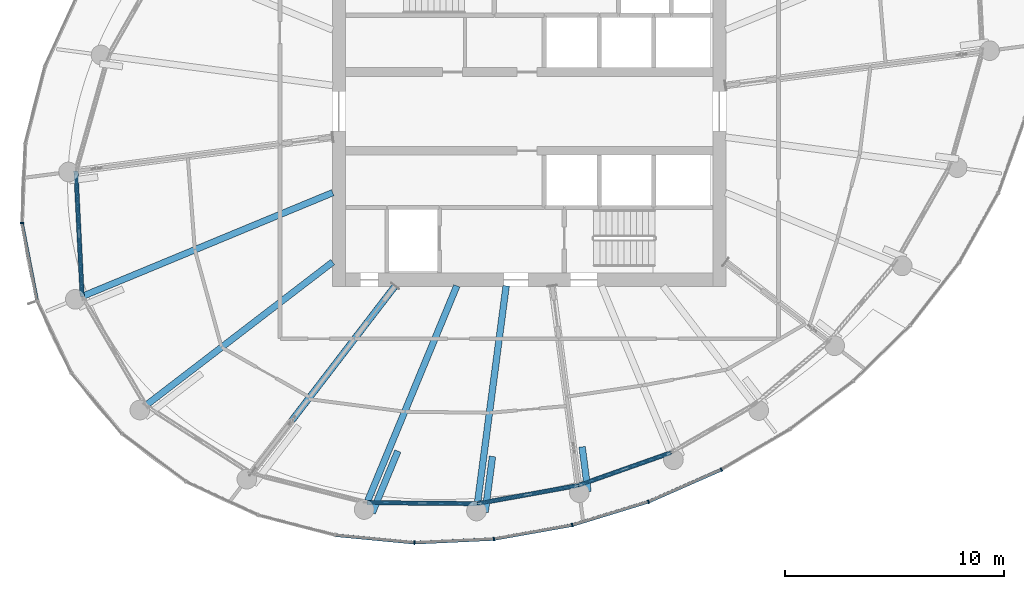
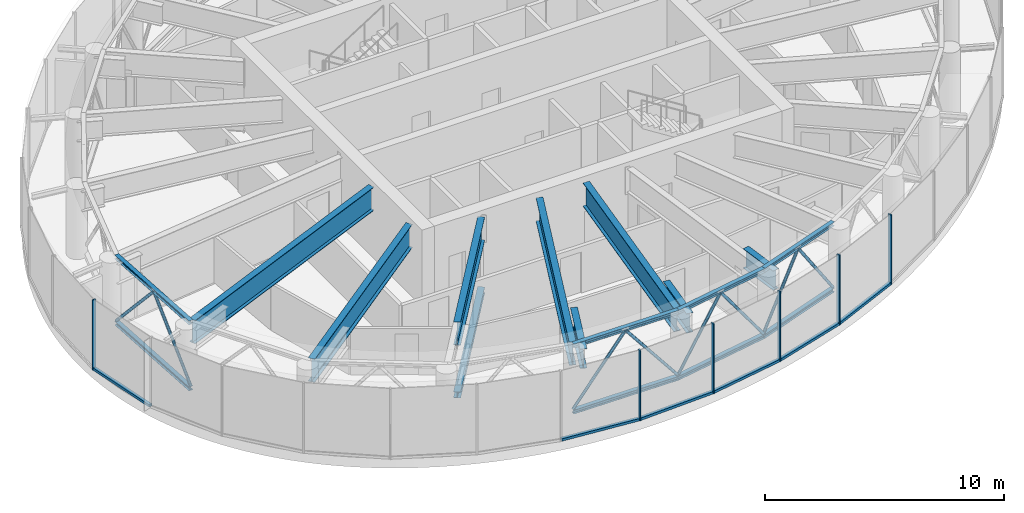
# One storey, part 3 of 26: 29 members, 8 beams, 3 elements without a shape of their own.
"""IFC4 building model written with IfcOpenShell, lengths in metres."""

from ifc_helpers import new_model, si_unit, direction, frame, origin, origin_2d, place, context, subcontext, project, spatial, rectangle, hollow_circle, i_section, extrude, source, transform, mapped, material, layer, layer_set, material_profile, profile_set, type_object, element, aggregate, save


model = new_model("IFC4")

# Units and contexts
model_context = context("Model", 3, precision=1e-05, world=origin(), true_north=direction((0.0, 1.0)))
body_context = subcontext(model_context, "Body", "Model", "MODEL_VIEW")
ifc_project = project(units=[si_unit("LENGTHUNIT", "METRE"), si_unit("AREAUNIT", "SQUARE_METRE"), si_unit("VOLUMEUNIT", "CUBIC_METRE"), si_unit("PLANEANGLEUNIT", "RADIAN"), si_unit("MASSUNIT", "GRAM", prefix="KILO")], contexts=[model_context])

# Site, building, storey
site_placement = place(None, origin())
site = spatial("IfcSite", under=ifc_project, at=site_placement, CompositionType="ELEMENT")
building_placement = place(site_placement, origin())
building = spatial("IfcBuilding", under=site, at=building_placement, Name="Spindrift Exchange Tower", CompositionType="ELEMENT")
storey_placement = place(building_placement, frame((0.0, 0.0, 230.60009765625)))
storey = spatial("IfcBuildingStorey", under=building, at=storey_placement, Name="L56", CompositionType="ELEMENT", Elevation=230.60009765625)

# Beams
ifc_material_1 = material(Name="Steel Grade 300", Category="steel")
ifc_material_profile_1 = material_profile(ifc_material_1, i_section(OverallWidth=0.300048828125, OverallDepth=1.199951171875, WebThickness=0.011962890625, FlangeThickness=0.028076171875, at=origin_2d()), Name="1200WB249")
ifc_profile_set_1 = profile_set([ifc_material_profile_1], Name="Steel Grade 300")
beam_type_1 = type_object("IfcBeamType", Name="Transfer Girder 1200WB249 Steel Grade 300", PredefinedType="BEAM", material=ifc_profile_set_1)
shared_shape_1 = source(origin(), body_context, "Body", "SweptSolid", [
    extrude(i_section(OverallWidth=0.300048828125, OverallDepth=1.199951171875, WebThickness=0.011962890625, FlangeThickness=0.028076171875, at=origin_2d()), origin(), (0.0, 0.0, 1.0), 12.3115234375),
])
beam_1_placement = place(storey_placement, frame((43.0185546875, 44.27978515625, 2.97998046875), z_axis=(-0.923878099838, -0.382686891126, 0.0), x_axis=(0.382686891126, -0.923878099838, 0.0)))
element("IfcBeam", 1, at=beam_1_placement, inside=storey, type_object=beam_type_1, Name="L56 radial beam R14A", PredefinedType="BEAM", context=body_context, shape_type="MappedRepresentation", body=[
    mapped(shared_shape_1, transform((0.0, 0.0, 0.0), scale=1.0)),
])
shared_shape_2 = source(origin(), body_context, "Body", "SweptSolid", [
    extrude(i_section(OverallWidth=0.300048828125, OverallDepth=1.199951171875, WebThickness=0.011962890625, FlangeThickness=0.028076171875, at=origin_2d()), origin(), (0.0, 0.0, 1.0), 10.684814453125),
])
beam_2_placement = place(storey_placement, frame((43.015869140625, 41.106201171875, 2.97998046875), z_axis=(-0.793357316898, -0.608756246559, 0.0), x_axis=(0.608756246559, -0.793357316898, 0.0)))
element("IfcBeam", 2, at=beam_2_placement, inside=storey, type_object=beam_type_1, Name="L56 radial beam R15A", PredefinedType="BEAM", context=body_context, shape_type="MappedRepresentation", body=[
    mapped(shared_shape_2, transform((0.0, 0.0, 0.0), scale=1.0)),
])
shared_shape_3 = source(origin(), body_context, "Body", "SweptSolid", [
    extrude(i_section(OverallWidth=0.300048828125, OverallDepth=1.199951171875, WebThickness=0.011962890625, FlangeThickness=0.028076171875, at=origin_2d()), origin(), (0.0, 0.0, 1.0), 10.64111328125),
])
beam_3_placement = place(storey_placement, frame((48.69384765625, 40.0185546875, 2.97998046875), z_axis=(-0.382672627597, -0.923884007919, 0.0), x_axis=(0.923884007919, -0.382672627597, 0.0)))
element("IfcBeam", 3, at=beam_3_placement, inside=storey, type_object=beam_type_1, Name="L56 radial beam R17A", PredefinedType="BEAM", context=body_context, shape_type="MappedRepresentation", body=[
    mapped(shared_shape_3, transform((0.0, 0.0, 0.0), scale=1.0)),
])
shared_shape_4 = source(origin(), body_context, "Body", "SweptSolid", [
    extrude(i_section(OverallWidth=0.300048828125, OverallDepth=1.199951171875, WebThickness=0.011962890625, FlangeThickness=0.028076171875, at=origin_2d()), origin(), (0.0, 0.0, 1.0), 9.95703125),
])
beam_4_placement = place(storey_placement, frame((50.949462890625, 40.019775390625, 2.97998046875), z_axis=(-0.130541406635, -0.991442858239, 0.0), x_axis=(0.991442858239, -0.130541406635, 0.0)))
element("IfcBeam", 4, at=beam_4_placement, inside=storey, type_object=beam_type_1, Name="L56 radial beam R18A", PredefinedType="BEAM", context=body_context, shape_type="MappedRepresentation", body=[
    mapped(shared_shape_4, transform((0.0, 0.0, 0.0), scale=1.0)),
])
ifc_material_profile_2 = material_profile(ifc_material_1, i_section(OverallWidth=0.300048828125, OverallDepth=1.199951171875, WebThickness=0.011962890625, FlangeThickness=0.028076171875, at=origin_2d()), Name="1200WB249")
ifc_profile_set_2 = profile_set([ifc_material_profile_2], Name="Steel Grade 300")
beam_type_2 = type_object("IfcBeamType", Name="Outrigger Truss Transfer Girder 1200WB249 Steel Grade 300", PredefinedType="BEAM", material=ifc_profile_set_2)
shared_shape_5 = source(origin(), body_context, "Body", "SweptSolid", [
    extrude(i_section(OverallWidth=0.300048828125, OverallDepth=1.199951171875, WebThickness=0.011962890625, FlangeThickness=0.028076171875, at=origin_2d()), origin(), (0.0, 0.0, 1.0), 7.754150390625),
])
beam_5_placement = place(storey_placement, frame((45.87353515625, 40.015869140625, 2.97998046875), z_axis=(-0.608759339456, -0.793354943657, 0.0), x_axis=(0.793354943657, -0.608759339456, 0.0)))
element("IfcBeam", 5, at=beam_5_placement, inside=storey, type_object=beam_type_2, Name="L56 outrigger truss 16 top chord 1", PredefinedType="BEAM", context=body_context, shape_type="MappedRepresentation", body=[
    mapped(shared_shape_5, transform((0.0, 0.0, 0.0), scale=1.0)),
])

# Members
ifc_material_profile_3 = material_profile(ifc_material_1, i_section(OverallWidth=0.304931640625, OverallDepth=0.30810546875, WebThickness=0.010009765625, FlangeThickness=0.015380859375, FilletRadius=0.0166015625, at=origin_2d()), Name="310UC96.8")
ifc_profile_set_3 = profile_set([ifc_material_profile_3], Name="Steel Grade 300")
member_type_1 = type_object("IfcMemberType", Name="Outrigger Truss Chord 310UC96.8 Steel Grade 300", PredefinedType="CHORD", material=ifc_profile_set_3)
shared_shape_6 = source(origin(), body_context, "Body", "SweptSolid", [
    extrude(i_section(OverallWidth=0.304931640625, OverallDepth=0.30810546875, WebThickness=0.010009765625, FlangeThickness=0.015380859375, FilletRadius=0.0166015625, at=origin_2d()), origin(), (0.0, 0.0, 1.0), 7.754150390625),
])
member_1_placement = place(storey_placement, frame((45.87353515625, 40.015869140625, -0.154052734375), z_axis=(-0.608759339456, -0.793354943657, 0.0), x_axis=(0.793354943657, -0.608759339456, 0.0)))
element("IfcMember", 6, at=member_1_placement, inside=storey, type_object=member_type_1, Name="L56 outrigger truss 16 bottom chord 1", PredefinedType="CHORD", context=body_context, shape_type="MappedRepresentation", body=[
    mapped(shared_shape_6, transform((0.0, 0.0, 0.0), scale=1.0)),
])
ifc_material_profile_4 = material_profile(ifc_material_1, i_section(OverallWidth=0.202880859375, OverallDepth=0.202880859375, WebThickness=0.00732421875, FlangeThickness=0.010986328125, FilletRadius=0.012939453125, at=origin_2d()), Name="200UC46.2")
ifc_profile_set_4 = profile_set([ifc_material_profile_4], Name="Steel Grade 300")
member_type_2 = type_object("IfcMemberType", Name="Belt Truss Chord 200UC46.2 Steel Grade 300", PredefinedType="CHORD", material=ifc_profile_set_4)
shared_shape_7 = source(origin(), body_context, "Body", "SweptSolid", [
    extrude(i_section(OverallWidth=0.202880859375, OverallDepth=0.202880859375, WebThickness=0.00732421875, FlangeThickness=0.010986328125, FilletRadius=0.012939453125, at=origin_2d()), origin(), (0.0, 0.0, 1.0), 5.74462890625),
])
for number, where, z_axis, x_axis, name in (
    (7, (31.27490234375, 45.271484375, 3.478515625), (0.049808319143, -0.998758795378, 0.0), (0.998758795378, 0.049808319143, 0.0), "L56 belt truss 13 top chord"),
    (8, (31.27490234375, 45.271484375, 0.101318359375), (0.049808319143, -0.998758795378, 0.0), (0.998758795378, 0.049808319143, 0.0), "L56 belt truss 13 bottom chord"),
):
    element("IfcMember", number, at=place(storey_placement, frame(where, z_axis=z_axis, x_axis=x_axis)), inside=storey, type_object=member_type_2, Name=name, PredefinedType="CHORD", context=body_context, shape_type="MappedRepresentation", body=[
        mapped(shared_shape_7, transform((0.0, 0.0, 0.0), scale=1.0)),
    ])
ifc_material_2 = material(Name="Steel Grade 350", Category="steel")
ifc_material_profile_5 = material_profile(ifc_material_2, hollow_circle(Radius=0.06982421875, WallThickness=0.00537109375, at=origin_2d()), Name="139.7x5.4CHS")
ifc_profile_set_5 = profile_set([ifc_material_profile_5], Name="Steel Grade 350")
member_type_3 = type_object("IfcMemberType", Name="Belt Truss Diagonal 139.7x5.4CHS Steel Grade 350", PredefinedType="BRACE", material=ifc_profile_set_5)
shared_shape_8 = source(origin(), body_context, "Body", "SweptSolid", [
    extrude(hollow_circle(Radius=0.06982421875, WallThickness=0.00537109375, at=origin_2d()), origin(), (0.0, 0.0, 1.0), 4.28076171875),
])
for number, where, z_axis, x_axis, name in (
    (9, (31.27490234375, 45.271484375, 0.202880859375), (0.033420008409, -0.670168120849, 0.741456534691), (0.998758900804, 0.049806205078, 0.0), "L56 belt truss 13 diagonal 1"),
    (10, (31.41796875, 42.402587890625, 3.376953125), (0.033421285747, -0.670136702261, -0.74148487371), (0.998758689938, 0.049810433388, 0.0), "L56 belt truss 13 diagonal 2"),
):
    element("IfcMember", number, at=place(storey_placement, frame(where, z_axis=z_axis, x_axis=x_axis)), inside=storey, type_object=member_type_3, Name=name, PredefinedType="BRACE", context=body_context, shape_type="MappedRepresentation", body=[
        mapped(shared_shape_8, transform((0.0, 0.0, 0.0), scale=1.0)),
    ])
shared_shape_9 = source(origin(), body_context, "Body", "SweptSolid", [
    extrude(i_section(OverallWidth=0.202880859375, OverallDepth=0.202880859375, WebThickness=0.00732421875, FlangeThickness=0.010986328125, FilletRadius=0.012939453125, at=origin_2d()), origin(), (0.0, 0.0, 1.0), 5.05078125),
])
for number, where, z_axis, x_axis, name in (
    (11, (44.58740234375, 30.1044921875, 3.478515625), (0.999959146283, -0.009039124105, 0.0), (0.009039124105, 0.999959146283, 0.0), "L56 belt truss 17 top chord"),
    (12, (44.58740234375, 30.1044921875, 0.101318359375), (0.999959146283, -0.009039124105, 0.0), (0.009039124105, 0.999959146283, 0.0), "L56 belt truss 17 bottom chord"),
):
    element("IfcMember", number, at=place(storey_placement, frame(where, z_axis=z_axis, x_axis=x_axis)), inside=storey, type_object=member_type_2, Name=name, PredefinedType="CHORD", context=body_context, shape_type="MappedRepresentation", body=[
        mapped(shared_shape_9, transform((0.0, 0.0, 0.0), scale=1.0)),
    ])
shared_shape_10 = source(origin(), body_context, "Body", "SweptSolid", [
    extrude(hollow_circle(Radius=0.06982421875, WallThickness=0.00537109375, at=origin_2d()), origin(), (0.0, 0.0, 1.0), 4.05615234375),
])
for number, where, z_axis, x_axis, name in (
    (13, (44.58740234375, 30.1044921875, 0.202880859375), (0.622598217612, -0.005657795094, 0.782521212991), (0.00908701846, 0.999958712195, 0.0), "L56 belt truss 17 diagonal 1"),
    (14, (47.11279296875, 30.08154296875, 3.376953125), (0.62256156822, -0.005597817446, -0.782550802323), (0.008991225057, 0.999959578119, 0.0), "L56 belt truss 17 diagonal 2"),
):
    element("IfcMember", number, at=place(storey_placement, frame(where, z_axis=z_axis, x_axis=x_axis)), inside=storey, type_object=member_type_3, Name=name, PredefinedType="BRACE", context=body_context, shape_type="MappedRepresentation", body=[
        mapped(shared_shape_10, transform((0.0, 0.0, 0.0), scale=1.0)),
    ])
shared_shape_11 = source(origin(), body_context, "Body", "SweptSolid", [
    extrude(i_section(OverallWidth=0.202880859375, OverallDepth=0.202880859375, WebThickness=0.00732421875, FlangeThickness=0.010986328125, FilletRadius=0.012939453125, at=origin_2d()), origin(), (0.0, 0.0, 1.0), 4.68896484375),
])
for number, where, z_axis, x_axis, name in (
    (15, (49.637939453125, 30.058837890625, 3.478515625), (0.983990478319, 0.178221038536, 0.0), (-0.178221038536, 0.983990478319, 0.0), "L56 belt truss 18 top chord"),
    (16, (49.637939453125, 30.058837890625, 0.101318359375), (0.983990478319, 0.178221038536, 0.0), (-0.178221038536, 0.983990478319, 0.0), "L56 belt truss 18 bottom chord"),
):
    element("IfcMember", number, at=place(storey_placement, frame(where, z_axis=z_axis, x_axis=x_axis)), inside=storey, type_object=member_type_2, Name=name, PredefinedType="CHORD", context=body_context, shape_type="MappedRepresentation", body=[
        mapped(shared_shape_11, transform((0.0, 0.0, 0.0), scale=1.0)),
    ])
shared_shape_12 = source(origin(), body_context, "Body", "SweptSolid", [
    extrude(hollow_circle(Radius=0.06982421875, WallThickness=0.00537109375, at=origin_2d()), origin(), (0.0, 0.0, 1.0), 3.9462890625),
])
member_2_placement = place(storey_placement, frame((49.637939453125, 30.058837890625, 0.202880859375), z_axis=(0.584649804162, 0.105917509495, 0.804342021578), x_axis=(-0.178262317218, 0.983983001001, 0.0)))
element("IfcMember", 17, at=member_2_placement, inside=storey, type_object=member_type_3, Name="L56 belt truss 18 diagonal 1", PredefinedType="BRACE", context=body_context, shape_type="MappedRepresentation", body=[
    mapped(shared_shape_12, transform((0.0, 0.0, 0.0), scale=1.0)),
])
shared_shape_13 = source(origin(), body_context, "Body", "SweptSolid", [
    extrude(hollow_circle(Radius=0.06982421875, WallThickness=0.00537109375, at=origin_2d()), origin(), (0.0, 0.0, 1.0), 3.946044921875),
])
member_3_placement = place(storey_placement, frame((51.945068359375, 30.476806640625, 3.376953125), z_axis=(0.584612911647, 0.105860164232, -0.80437638526), x_axis=(-0.178179754543, 0.98399795481, 0.0)))
element("IfcMember", 18, at=member_3_placement, inside=storey, type_object=member_type_3, Name="L56 belt truss 18 diagonal 2", PredefinedType="BRACE", context=body_context, shape_type="MappedRepresentation", body=[
    mapped(shared_shape_13, transform((0.0, 0.0, 0.0), scale=1.0)),
])
shared_shape_14 = source(origin(), body_context, "Body", "SweptSolid", [
    extrude(i_section(OverallWidth=0.202880859375, OverallDepth=0.202880859375, WebThickness=0.00732421875, FlangeThickness=0.010986328125, FilletRadius=0.012939453125, at=origin_2d()), origin(), (0.0, 0.0, 1.0), 4.471923828125),
])
for number, where, z_axis, x_axis, name in (
    (19, (54.251953125, 30.89453125, 3.478515625), (0.942996380726, 0.332802983668, 0.0), (-0.332802983668, 0.942996380726, 0.0), "L56 belt truss 19 top chord"),
    (20, (54.251953125, 30.89453125, 0.101318359375), (0.942996380726, 0.332802983668, 0.0), (-0.332802983668, 0.942996380726, 0.0), "L56 belt truss 19 bottom chord"),
):
    element("IfcMember", number, at=place(storey_placement, frame(where, z_axis=z_axis, x_axis=x_axis)), inside=storey, type_object=member_type_2, Name=name, PredefinedType="CHORD", context=body_context, shape_type="MappedRepresentation", body=[
        mapped(shared_shape_14, transform((0.0, 0.0, 0.0), scale=1.0)),
    ])
shared_shape_15 = source(origin(), body_context, "Body", "SweptSolid", [
    extrude(hollow_circle(Radius=0.06982421875, WallThickness=0.00537109375, at=origin_2d()), origin(), (0.0, 0.0, 1.0), 3.882568359375),
])
for number, where, z_axis, x_axis, name in (
    (21, (54.251953125, 30.89453125, 0.202880859375), (0.543051435145, 0.191665212404, 0.817532620231), (-0.332820117735, 0.942990333583, 0.0), "L56 belt truss 19 diagonal 1"),
    (22, (56.3603515625, 31.638671875, 3.376953125), (0.543095770869, 0.191658667316, -0.817504702682), (-0.332785851256, 0.943002426934, 0.0), "L56 belt truss 19 diagonal 2"),
):
    element("IfcMember", number, at=place(storey_placement, frame(where, z_axis=z_axis, x_axis=x_axis)), inside=storey, type_object=member_type_3, Name=name, PredefinedType="BRACE", context=body_context, shape_type="MappedRepresentation", body=[
        mapped(shared_shape_15, transform((0.0, 0.0, 0.0), scale=1.0)),
    ])

# Beams
ifc_material_profile_6 = material_profile(ifc_material_1, i_section(OverallWidth=0.300048828125, OverallDepth=1.0, WebThickness=0.010009765625, FlangeThickness=0.02001953125, at=origin_2d()), Name="1000WB215")
ifc_profile_set_6 = profile_set([ifc_material_profile_6], Name="Steel Grade 300")
beam_type_3 = type_object("IfcBeamType", Name="Transfer Tie Beam 1000WB215 Steel Grade 300", PredefinedType="BEAM", material=ifc_profile_set_6)
shared_shape_16 = source(origin(), body_context, "Body", "SweptSolid", [
    extrude(i_section(OverallWidth=0.300048828125, OverallDepth=1.0, WebThickness=0.010009765625, FlangeThickness=0.02001953125, at=origin_2d()), origin(), (0.0, 0.0, 1.0), 3.06005859375),
])
beam_6_placement = place(storey_placement, frame((44.826904296875, 29.63720703125, 2.97998046875), z_axis=(0.382643045304, 0.923896260346, 0.0), x_axis=(-0.923896260346, 0.382643045304, 0.0)))
element("IfcBeam", 23, at=beam_6_placement, inside=storey, type_object=beam_type_3, Name="L56 transfer tie beam K17", PredefinedType="BEAM", context=body_context, shape_type="MappedRepresentation", body=[
    mapped(shared_shape_16, transform((0.0, 0.0, 0.0), scale=1.0)),
])
shared_shape_17 = source(origin(), body_context, "Body", "SweptSolid", [
    extrude(i_section(OverallWidth=0.300048828125, OverallDepth=1.0, WebThickness=0.010009765625, FlangeThickness=0.02001953125, at=origin_2d()), origin(), (0.0, 0.0, 1.0), 2.569091796875),
])
beam_7_placement = place(storey_placement, frame((49.990234375, 29.66943359375, 2.97998046875), z_axis=(0.130476636685, 0.991451384224, 0.0), x_axis=(-0.991451384224, 0.130476636685, 0.0)))
element("IfcBeam", 24, at=beam_7_placement, inside=storey, type_object=beam_type_3, Name="L56 transfer tie beam K18", PredefinedType="BEAM", context=body_context, shape_type="MappedRepresentation", body=[
    mapped(shared_shape_17, transform((0.0, 0.0, 0.0), scale=1.0)),
])
shared_shape_18 = source(origin(), body_context, "Body", "SweptSolid", [
    extrude(i_section(OverallWidth=0.300048828125, OverallDepth=1.0, WebThickness=0.010009765625, FlangeThickness=0.02001953125, at=origin_2d()), origin(), (0.0, 0.0, 1.0), 2.06396484375),
])
beam_8_placement = place(storey_placement, frame((54.69287109375, 30.609619140625, 2.97998046875), z_axis=(-0.130466751567, 0.991452685072, 0.0), x_axis=(-0.991452685072, -0.130466751567, 0.0)))
element("IfcBeam", 25, at=beam_8_placement, inside=storey, type_object=beam_type_3, Name="L56 transfer tie beam K19", PredefinedType="BEAM", context=body_context, shape_type="MappedRepresentation", body=[
    mapped(shared_shape_18, transform((0.0, 0.0, 0.0), scale=1.0)),
])

# Curtain wall, member
ifc_material_3 = material(Name="Fritted laminated glass with bronze frame", Category="glass")
ifc_layer = layer(ifc_material_3, 0.169921875)
ifc_layer_set = layer_set([ifc_layer], Name="ZONE 4 BRONZE FRITTED WALL")
curtain_wall_type = type_object("IfcCurtainWallType", Name="ZONE 4 BRONZE FRITTED WALL", PredefinedType="NOTDEFINED", material=ifc_layer_set)
curtain_wall_1_placement = place(storey_placement, origin())
curtain_wall_1 = element("IfcCurtainWall", 26, at=curtain_wall_1_placement, inside=storey, type_object=curtain_wall_type, Name="L56 Zone 4 Bronze Fritted Wall run 3", PredefinedType="NOTDEFINED")
ifc_material_4 = material(Name="Bronze anodised aluminium", Category="aluminium")
ifc_material_profile_7 = material_profile(ifc_material_4, rectangle(XDim=0.06494140625, YDim=0.169921875, at=origin_2d()), Name="ZONE 4 BRONZE FRITTED WALL MULLION 65X170")
ifc_profile_set_7 = profile_set([ifc_material_profile_7], Name="Bronze anodised aluminium")
member_type_4 = type_object("IfcMemberType", Name="ZONE 4 BRONZE FRITTED WALL MULLION 65X170", PredefinedType="MULLION", material=ifc_profile_set_7)
shared_shape_19 = source(origin(), body_context, "Body", "SweptSolid", [
    extrude(rectangle(XDim=0.06494140625, YDim=0.169921875, at=origin_2d()), origin(), (0.0, 0.0, 1.0), 3.579833984375),
])
member_4_placement = place(storey_placement, frame((28.8056640625, 42.89306640625, 0.0), z_axis=(0.0, 0.0, 1.0), x_axis=(0.075556696299, -0.997141507332, 0.0)))
member_4 = element("IfcMember", 27, at=member_4_placement, type_object=member_type_4, Name="L56 mullion CW-4.18", PredefinedType="MULLION", context=body_context, shape_type="MappedRepresentation", body=[
    mapped(shared_shape_19, transform((0.0, 0.0, 0.0), scale=1.0)),
])

# Curtain wall, members
curtain_wall_2_placement = place(storey_placement, origin())
curtain_wall_2 = element("IfcCurtainWall", 28, at=curtain_wall_2_placement, inside=storey, type_object=curtain_wall_type, Name="L56 Zone 4 Bronze Fritted Wall run 5", PredefinedType="NOTDEFINED")
member_5_placement = place(storey_placement, frame((46.749755859375, 28.27587890625, 0.0), z_axis=(0.0, 0.0, 1.0), x_axis=(0.999706069136, -0.024244078284, 0.0)))
member_5 = element("IfcMember", 29, at=member_5_placement, type_object=member_type_4, Name="L56 mullion CW-4.25", PredefinedType="MULLION", context=body_context, shape_type="MappedRepresentation", body=[
    mapped(shared_shape_19, transform((0.0, 0.0, 0.0), scale=1.0)),
])
member_6_placement = place(storey_placement, frame((50.387939453125, 28.4453125, 0.0), z_axis=(0.0, 0.0, 1.0), x_axis=(0.993830154649, 0.110912685071, 0.0)))
member_6 = element("IfcMember", 30, at=member_6_placement, type_object=member_type_4, Name="L56 mullion CW-4.26", PredefinedType="MULLION", context=body_context, shape_type="MappedRepresentation", body=[
    mapped(shared_shape_19, transform((0.0, 0.0, 0.0), scale=1.0)),
])
member_7_placement = place(storey_placement, frame((53.974365234375, 29.082275390625, 0.0), z_axis=(0.0, 0.0, 1.0), x_axis=(0.972168288331, 0.234283629739, 0.0)))
member_7 = element("IfcMember", 31, at=member_7_placement, type_object=member_type_4, Name="L56 mullion CW-4.27", PredefinedType="MULLION", context=body_context, shape_type="MappedRepresentation", body=[
    mapped(shared_shape_19, transform((0.0, 0.0, 0.0), scale=1.0)),
])
member_8_placement = place(storey_placement, frame((57.45751953125, 30.14892578125, 0.0), z_axis=(0.0, 0.0, 1.0), x_axis=(0.937363140348, 0.348353761452, 0.0)))
member_8 = element("IfcMember", 32, at=member_8_placement, type_object=member_type_4, Name="L56 mullion CW-4.28", PredefinedType="MULLION", context=body_context, shape_type="MappedRepresentation", body=[
    mapped(shared_shape_19, transform((0.0, 0.0, 0.0), scale=1.0)),
])
member_9_placement = place(storey_placement, frame((60.7919921875, 31.61572265625, 0.0), z_axis=(0.0, 0.0, 1.0), x_axis=(0.890368098147, 0.45524130942, 0.0)))
member_9 = element("IfcMember", 33, at=member_9_placement, type_object=member_type_4, Name="L56 mullion CW-4.29", PredefinedType="MULLION", context=body_context, shape_type="MappedRepresentation", body=[
    mapped(shared_shape_19, transform((0.0, 0.0, 0.0), scale=1.0)),
])
ifc_material_profile_8 = material_profile(ifc_material_4, rectangle(XDim=0.14990234375, YDim=0.125, at=origin_2d()), Name="ZONE 4 BRONZE FRITTED WALL TRANSOM 150X125")
ifc_profile_set_8 = profile_set([ifc_material_profile_8], Name="Bronze anodised aluminium")
member_type_5 = type_object("IfcMemberType", Name="ZONE 4 BRONZE FRITTED WALL TRANSOM 150X125", PredefinedType="USERDEFINED", material=ifc_profile_set_8)
shared_shape_20 = source(origin(), body_context, "Body", "SweptSolid", [
    extrude(rectangle(XDim=0.14990234375, YDim=0.125, at=origin_2d()), origin(), (0.0, 0.0, 1.0), 3.57763671875),
])
member_10_placement = place(storey_placement, frame((50.419921875, 28.450927734375, 0.0625), z_axis=(0.9845975075, 0.174836346979, 0.0), x_axis=(-0.174836346979, 0.9845975075, 0.0)))
member_10 = element("IfcMember", 34, at=member_10_placement, type_object=member_type_5, Name="L56 transom CW-4.26", ObjectType="TRANSOM", PredefinedType="USERDEFINED", context=body_context, shape_type="MappedRepresentation", body=[
    mapped(shared_shape_20, transform((0.0, 0.0, 0.0), scale=1.0)),
])
shared_shape_21 = source(origin(), body_context, "Body", "SweptSolid", [
    extrude(rectangle(XDim=0.14990234375, YDim=0.125, at=origin_2d()), origin(), (0.0, 0.0, 1.0), 3.577880859375),
])
member_11_placement = place(storey_placement, frame((54.00537109375, 29.091796875, 0.0625), z_axis=(0.956175007077, 0.292795757894, 0.0), x_axis=(-0.292795757894, 0.956175007077, 0.0)))
member_11 = element("IfcMember", 35, at=member_11_placement, type_object=member_type_5, Name="L56 transom CW-4.27", ObjectType="TRANSOM", PredefinedType="USERDEFINED", context=body_context, shape_type="MappedRepresentation", body=[
    mapped(shared_shape_21, transform((0.0, 0.0, 0.0), scale=1.0)),
])
member_12_placement = place(storey_placement, frame((57.4873046875, 30.161865234375, 0.0625), z_axis=(0.915319057026, 0.402729467315, 0.0), x_axis=(-0.402729467315, 0.915319057026, 0.0)))
member_12 = element("IfcMember", 36, at=member_12_placement, type_object=member_type_5, Name="L56 transom CW-4.28", ObjectType="TRANSOM", PredefinedType="USERDEFINED", context=body_context, shape_type="MappedRepresentation", body=[
    mapped(shared_shape_21, transform((0.0, 0.0, 0.0), scale=1.0)),
])
shared_shape_22 = source(origin(), body_context, "Body", "SweptSolid", [
    extrude(rectangle(XDim=0.14990234375, YDim=0.125, at=origin_2d()), origin(), (0.0, 0.0, 1.0), 3.5771484375),
])
member_13_placement = place(storey_placement, frame((46.7822265625, 28.27734375, 0.0625), z_axis=(0.998919275609, 0.046478821173, 0.0), x_axis=(-0.046478821173, 0.998919275609, 0.0)))
member_13 = element("IfcMember", 37, at=member_13_placement, type_object=member_type_5, Name="L56 transom CW-4.25", ObjectType="TRANSOM", PredefinedType="USERDEFINED", context=body_context, shape_type="MappedRepresentation", body=[
    mapped(shared_shape_22, transform((0.0, 0.0, 0.0), scale=1.0)),
])
aggregate(curtain_wall_2, [member_5, member_13, member_6, member_10, member_7, member_11, member_8, member_12, member_9])

# Member
shared_shape_23 = source(origin(), body_context, "Body", "SweptSolid", [
    extrude(rectangle(XDim=0.14990234375, YDim=0.125, at=origin_2d()), origin(), (0.0, 0.0, 1.0), 3.57080078125),
])
member_14_placement = place(storey_placement, frame((28.81201171875, 42.861083984375, 0.0625), z_axis=(0.191367387867, -0.981518478105, 0.0), x_axis=(0.981518478105, 0.191367387867, 0.0)))
member_14 = element("IfcMember", 38, at=member_14_placement, type_object=member_type_5, Name="L56 transom CW-4.18", ObjectType="TRANSOM", PredefinedType="USERDEFINED", context=body_context, shape_type="MappedRepresentation", body=[
    mapped(shared_shape_23, transform((0.0, 0.0, 0.0), scale=1.0)),
])

aggregate(curtain_wall_1, [member_4, member_14])

# Curtain wall, member
curtain_wall_3_placement = place(storey_placement, origin())
curtain_wall_3 = element("IfcCurtainWall", 39, at=curtain_wall_3_placement, inside=storey, type_object=curtain_wall_type, Name="L56 Zone 4 Bronze Fritted Wall run 4", PredefinedType="NOTDEFINED")
shared_shape_24 = source(origin(), body_context, "Body", "SweptSolid", [
    extrude(rectangle(XDim=0.14990234375, YDim=0.125, at=origin_2d()), origin(), (0.0, 0.0, 1.0), 3.57666015625),
])
member_15_placement = place(storey_placement, frame((43.156982421875, 28.6181640625, 0.0625), z_axis=(0.995495165805, -0.094812313858, 0.0), x_axis=(0.094812313858, 0.995495165805, 0.0)))
member_15 = element("IfcMember", 40, at=member_15_placement, type_object=member_type_5, Name="L56 transom CW-4.24", ObjectType="TRANSOM", PredefinedType="USERDEFINED", context=body_context, shape_type="MappedRepresentation", body=[
    mapped(shared_shape_24, transform((0.0, 0.0, 0.0), scale=1.0)),
])
aggregate(curtain_wall_3, [member_15])

save(model, "model.ifc")
